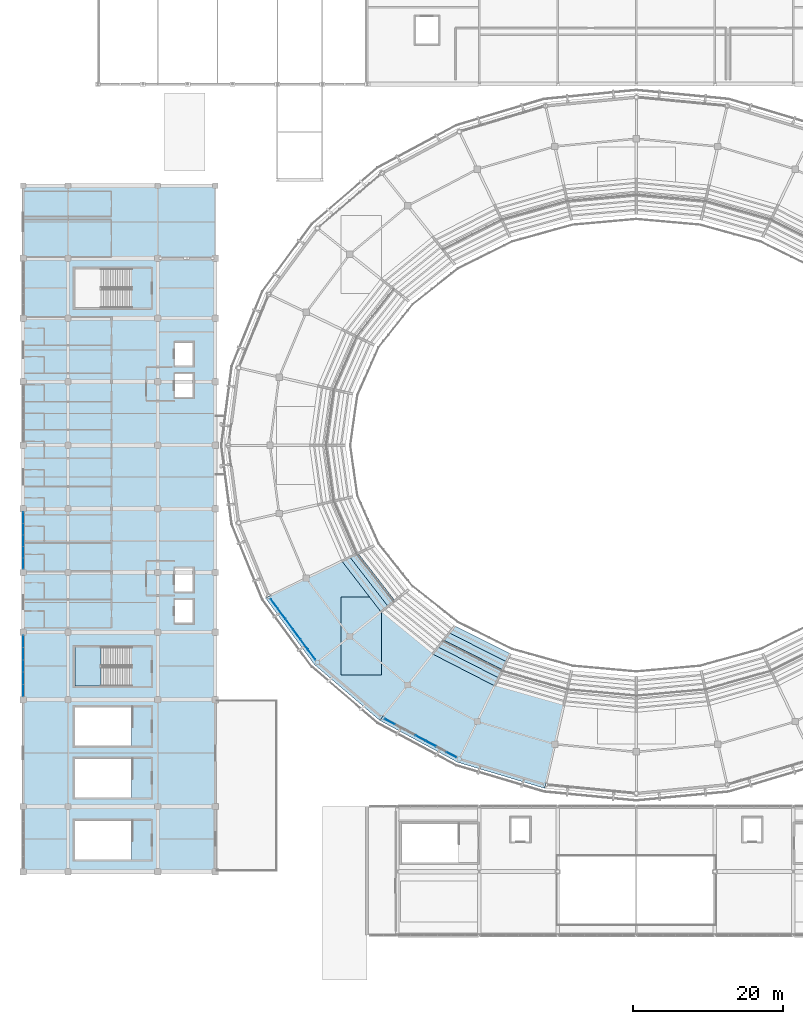
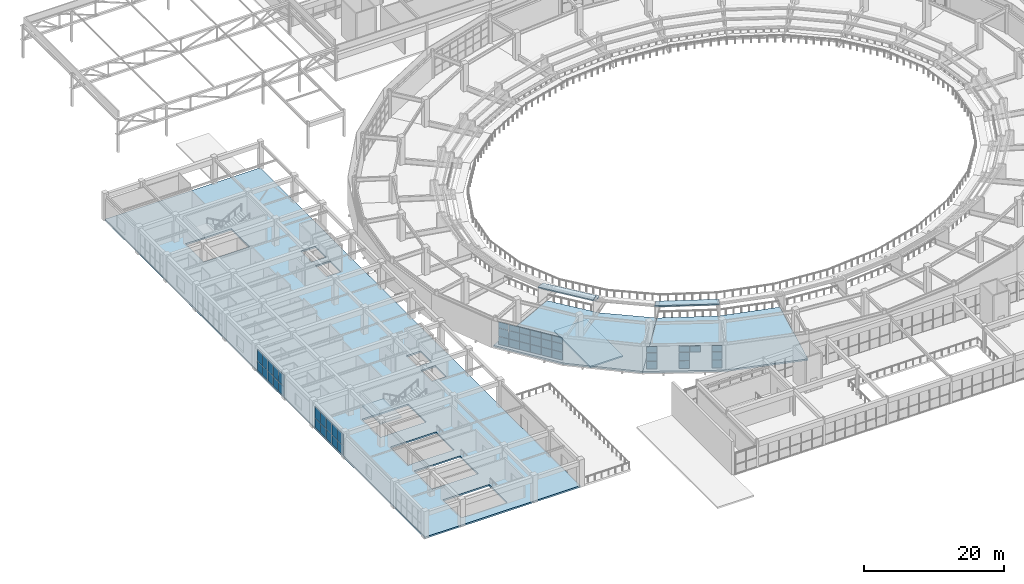
# One storey, part 78 of 122: 48 plates, 11 slabs, 5 elements without a shape of their own.
"""IFC4 building model written with IfcOpenShell, lengths in metres."""

from ifc_helpers import new_model, si_unit, direction, frame, origin, origin_2d, place, context, subcontext, project, spatial, polyline, rectangle, outline, extrude, material, layer, layer_set, type_object, element, aggregate, save


model = new_model("IFC4")

# Units and contexts
model_context = context("Model", 3, precision=1e-05, world=origin(), true_north=direction((0.0, 1.0)))
body_context = subcontext(model_context, "Body", "Model", "MODEL_VIEW")
ifc_project = project(units=[si_unit("LENGTHUNIT", "METRE"), si_unit("AREAUNIT", "SQUARE_METRE"), si_unit("VOLUMEUNIT", "CUBIC_METRE"), si_unit("PLANEANGLEUNIT", "RADIAN"), si_unit("MASSUNIT", "GRAM", prefix="KILO")], contexts=[model_context])

# Site, building, storey
site_placement = place(None, origin())
site = spatial("IfcSite", under=ifc_project, at=site_placement, CompositionType="ELEMENT")
building_placement = place(site_placement, origin())
building = spatial("IfcBuilding", under=site, at=building_placement, Name="Cuetzalor Civic Arena", CompositionType="ELEMENT")
storey_placement = place(building_placement, frame((0.0, 0.0, 16.199951171875)))
storey = spatial("IfcBuildingStorey", under=building, at=storey_placement, Name="L03", CompositionType="ELEMENT", Elevation=16.199951171875)

# Curtain wall, plates
ifc_material_1 = material(Name="Anodised dark bronze aluminium and low-E solar glass", Category="aluminium")
curtain_wall_type_1 = type_object("IfcCurtainWallType", Name="UnitisedCW_10150x4050", PredefinedType="USERDEFINED", material=ifc_material_1)
curtain_wall_1_placement = place(storey_placement, origin())
curtain_wall_1 = element("IfcCurtainWall", 1, at=curtain_wall_1_placement, inside=storey, type_object=curtain_wall_type_1, Name="Drum Triangle Foyer Curtain Wall L03-051", ObjectType="UNITISED CURTAIN WALL", PredefinedType="USERDEFINED")
ifc_material_2 = material(Name="Acoustic laminated solar control glass", Category="glass")
ifc_layer_1 = layer(ifc_material_2, 0.0439453125)
ifc_layer_set_1 = layer_set([ifc_layer_1], Name="Acoustic laminated solar control glass")
plate_type = type_object("IfcPlateType", Name="AcousticTripleGlazedPanel_44", PredefinedType="CURTAIN_PANEL", material=ifc_layer_set_1)
plate_1_placement = place(storey_placement, frame((-43.40185546875, -28.000732421875, 0.06494140625), z_axis=(0.0, 0.0, 1.0), x_axis=(-0.59292931222, 0.805254513002, 0.0)))
plate_1 = element("IfcPlate", 2, at=plate_1_placement, type_object=plate_type, Name="CW-12 panel 1.1", PredefinedType="CURTAIN_PANEL", context=body_context, shape_type="SweptSolid", body=[
    extrude(rectangle(XDim=1.59326171875, YDim=0.0439453125, at=origin_2d()), origin(), (0.0, 0.0, 1.0), 1.361572265625),
])
plate_2_placement = place(storey_placement, frame((-43.40185546875, -28.000732421875, 1.491455078125), z_axis=(0.0, 0.0, 1.0), x_axis=(-0.59292931222, 0.805254513002, 0.0)))
plate_2 = element("IfcPlate", 3, at=plate_2_placement, type_object=plate_type, Name="CW-12 panel 1.2", PredefinedType="CURTAIN_PANEL", context=body_context, shape_type="SweptSolid", body=[
    extrude(rectangle(XDim=1.59326171875, YDim=0.0439453125, at=origin_2d()), origin(), (0.0, 0.0, 1.0), 1.39404296875),
])
plate_3_placement = place(storey_placement, frame((-43.40185546875, -28.000732421875, 2.950439453125), z_axis=(0.0, 0.0, 1.0), x_axis=(-0.59292931222, 0.805254513002, 0.0)))
plate_3 = element("IfcPlate", 4, at=plate_3_placement, type_object=plate_type, Name="CW-12 panel 1.3", PredefinedType="CURTAIN_PANEL", context=body_context, shape_type="SweptSolid", body=[
    extrude(rectangle(XDim=1.59326171875, YDim=0.0439453125, at=origin_2d()), origin(), (0.0, 0.0, 1.0), 1.03759765625),
])
plate_4_placement = place(storey_placement, frame((-44.394775390625, -26.652587890625, 0.06494140625), z_axis=(0.0, 0.0, 1.0), x_axis=(-0.59292931222, 0.805254513002, 0.0)))
plate_4 = element("IfcPlate", 5, at=plate_4_placement, type_object=plate_type, Name="CW-12 panel 2.1", PredefinedType="CURTAIN_PANEL", context=body_context, shape_type="SweptSolid", body=[
    extrude(rectangle(XDim=1.625732421875, YDim=0.0439453125, at=origin_2d()), origin(), (0.0, 0.0, 1.0), 1.361572265625),
])
plate_5_placement = place(storey_placement, frame((-44.394775390625, -26.652587890625, 1.491455078125), z_axis=(0.0, 0.0, 1.0), x_axis=(-0.59292931222, 0.805254513002, 0.0)))
plate_5 = element("IfcPlate", 6, at=plate_5_placement, type_object=plate_type, Name="CW-12 panel 2.2", PredefinedType="CURTAIN_PANEL", context=body_context, shape_type="SweptSolid", body=[
    extrude(rectangle(XDim=1.625732421875, YDim=0.0439453125, at=origin_2d()), origin(), (0.0, 0.0, 1.0), 1.39404296875),
])
plate_6_placement = place(storey_placement, frame((-44.394775390625, -26.652587890625, 2.950439453125), z_axis=(0.0, 0.0, 1.0), x_axis=(-0.59292931222, 0.805254513002, 0.0)))
plate_6 = element("IfcPlate", 7, at=plate_6_placement, type_object=plate_type, Name="CW-12 panel 2.3", PredefinedType="CURTAIN_PANEL", context=body_context, shape_type="SweptSolid", body=[
    extrude(rectangle(XDim=1.625732421875, YDim=0.0439453125, at=origin_2d()), origin(), (0.0, 0.0, 1.0), 1.03759765625),
])
plate_7_placement = place(storey_placement, frame((-45.397216796875, -25.291015625, 0.06494140625), z_axis=(0.0, 0.0, 1.0), x_axis=(-0.59292931222, 0.805254513002, 0.0)))
plate_7 = element("IfcPlate", 8, at=plate_7_placement, type_object=plate_type, Name="CW-12 panel 3.1", PredefinedType="CURTAIN_PANEL", context=body_context, shape_type="SweptSolid", body=[
    extrude(rectangle(XDim=1.625732421875, YDim=0.0439453125, at=origin_2d()), origin(), (0.0, 0.0, 1.0), 1.361572265625),
])
plate_8_placement = place(storey_placement, frame((-45.397216796875, -25.291015625, 1.491455078125), z_axis=(0.0, 0.0, 1.0), x_axis=(-0.59292931222, 0.805254513002, 0.0)))
plate_8 = element("IfcPlate", 9, at=plate_8_placement, type_object=plate_type, Name="CW-12 panel 3.2", PredefinedType="CURTAIN_PANEL", context=body_context, shape_type="SweptSolid", body=[
    extrude(rectangle(XDim=1.625732421875, YDim=0.0439453125, at=origin_2d()), origin(), (0.0, 0.0, 1.0), 1.39404296875),
])
plate_9_placement = place(storey_placement, frame((-45.397216796875, -25.291015625, 2.950439453125), z_axis=(0.0, 0.0, 1.0), x_axis=(-0.59292931222, 0.805254513002, 0.0)))
plate_9 = element("IfcPlate", 10, at=plate_9_placement, type_object=plate_type, Name="CW-12 panel 3.3", PredefinedType="CURTAIN_PANEL", context=body_context, shape_type="SweptSolid", body=[
    extrude(rectangle(XDim=1.625732421875, YDim=0.0439453125, at=origin_2d()), origin(), (0.0, 0.0, 1.0), 1.03759765625),
])
plate_10_placement = place(storey_placement, frame((-46.399658203125, -23.9296875, 0.06494140625), z_axis=(0.0, 0.0, 1.0), x_axis=(-0.59292931222, 0.805254513002, 0.0)))
plate_10 = element("IfcPlate", 11, at=plate_10_placement, type_object=plate_type, Name="CW-12 panel 4.1", PredefinedType="CURTAIN_PANEL", context=body_context, shape_type="SweptSolid", body=[
    extrude(rectangle(XDim=1.625732421875, YDim=0.0439453125, at=origin_2d()), origin(), (0.0, 0.0, 1.0), 1.361572265625),
])
plate_11_placement = place(storey_placement, frame((-46.399658203125, -23.9296875, 1.491455078125), z_axis=(0.0, 0.0, 1.0), x_axis=(-0.59292931222, 0.805254513002, 0.0)))
plate_11 = element("IfcPlate", 12, at=plate_11_placement, type_object=plate_type, Name="CW-12 panel 4.2", PredefinedType="CURTAIN_PANEL", context=body_context, shape_type="SweptSolid", body=[
    extrude(rectangle(XDim=1.625732421875, YDim=0.0439453125, at=origin_2d()), origin(), (0.0, 0.0, 1.0), 1.39404296875),
])
plate_12_placement = place(storey_placement, frame((-46.399658203125, -23.9296875, 2.950439453125), z_axis=(0.0, 0.0, 1.0), x_axis=(-0.59292931222, 0.805254513002, 0.0)))
plate_12 = element("IfcPlate", 13, at=plate_12_placement, type_object=plate_type, Name="CW-12 panel 4.3", PredefinedType="CURTAIN_PANEL", context=body_context, shape_type="SweptSolid", body=[
    extrude(rectangle(XDim=1.625732421875, YDim=0.0439453125, at=origin_2d()), origin(), (0.0, 0.0, 1.0), 1.03759765625),
])
plate_13_placement = place(storey_placement, frame((-47.402099609375, -22.568359375, 0.06494140625), z_axis=(0.0, 0.0, 1.0), x_axis=(-0.59292931222, 0.805254513002, 0.0)))
plate_13 = element("IfcPlate", 14, at=plate_13_placement, type_object=plate_type, Name="CW-12 panel 5.1", PredefinedType="CURTAIN_PANEL", context=body_context, shape_type="SweptSolid", body=[
    extrude(rectangle(XDim=1.625732421875, YDim=0.0439453125, at=origin_2d()), origin(), (0.0, 0.0, 1.0), 1.361572265625),
])
plate_14_placement = place(storey_placement, frame((-47.402099609375, -22.568359375, 1.491455078125), z_axis=(0.0, 0.0, 1.0), x_axis=(-0.59292931222, 0.805254513002, 0.0)))
plate_14 = element("IfcPlate", 15, at=plate_14_placement, type_object=plate_type, Name="CW-12 panel 5.2", PredefinedType="CURTAIN_PANEL", context=body_context, shape_type="SweptSolid", body=[
    extrude(rectangle(XDim=1.625732421875, YDim=0.0439453125, at=origin_2d()), origin(), (0.0, 0.0, 1.0), 1.39404296875),
])
plate_15_placement = place(storey_placement, frame((-47.402099609375, -22.568359375, 2.950439453125), z_axis=(0.0, 0.0, 1.0), x_axis=(-0.59292931222, 0.805254513002, 0.0)))
plate_15 = element("IfcPlate", 16, at=plate_15_placement, type_object=plate_type, Name="CW-12 panel 5.3", PredefinedType="CURTAIN_PANEL", context=body_context, shape_type="SweptSolid", body=[
    extrude(rectangle(XDim=1.625732421875, YDim=0.0439453125, at=origin_2d()), origin(), (0.0, 0.0, 1.0), 1.03759765625),
])
plate_16_placement = place(storey_placement, frame((-48.394775390625, -21.219970703125, 0.06494140625), z_axis=(0.0, 0.0, 1.0), x_axis=(-0.59292931222, 0.805254513002, 0.0)))
plate_16 = element("IfcPlate", 17, at=plate_16_placement, type_object=plate_type, Name="CW-12 panel 6.1", PredefinedType="CURTAIN_PANEL", context=body_context, shape_type="SweptSolid", body=[
    extrude(rectangle(XDim=1.59326171875, YDim=0.0439453125, at=origin_2d()), origin(), (0.0, 0.0, 1.0), 1.361572265625),
])
plate_17_placement = place(storey_placement, frame((-48.394775390625, -21.219970703125, 1.491455078125), z_axis=(0.0, 0.0, 1.0), x_axis=(-0.59292931222, 0.805254513002, 0.0)))
plate_17 = element("IfcPlate", 18, at=plate_17_placement, type_object=plate_type, Name="CW-12 panel 6.2", PredefinedType="CURTAIN_PANEL", context=body_context, shape_type="SweptSolid", body=[
    extrude(rectangle(XDim=1.59326171875, YDim=0.0439453125, at=origin_2d()), origin(), (0.0, 0.0, 1.0), 1.39404296875),
])
plate_18_placement = place(storey_placement, frame((-48.394775390625, -21.219970703125, 2.950439453125), z_axis=(0.0, 0.0, 1.0), x_axis=(-0.59292931222, 0.805254513002, 0.0)))
plate_18 = element("IfcPlate", 19, at=plate_18_placement, type_object=plate_type, Name="CW-12 panel 6.3", PredefinedType="CURTAIN_PANEL", context=body_context, shape_type="SweptSolid", body=[
    extrude(rectangle(XDim=1.59326171875, YDim=0.0439453125, at=origin_2d()), origin(), (0.0, 0.0, 1.0), 1.03759765625),
])
aggregate(curtain_wall_1, [plate_1, plate_2, plate_3, plate_4, plate_5, plate_6, plate_7, plate_8, plate_9, plate_10, plate_11, plate_12, plate_13, plate_14, plate_15, plate_16, plate_17, plate_18])

ifc_material_3 = material(Name="Anodised dark bronze aluminium and low-E solar glass", Category="aluminium")
curtain_wall_type_2 = type_object("IfcCurtainWallType", Name="UnitisedCW_10950x4050", PredefinedType="USERDEFINED", material=ifc_material_3)
curtain_wall_2_placement = place(storey_placement, origin())
curtain_wall_2 = element("IfcCurtainWall", 20, at=curtain_wall_2_placement, inside=storey, type_object=curtain_wall_type_2, Name="Drum Triangle Foyer Curtain Wall L03-052", ObjectType="UNITISED CURTAIN WALL", PredefinedType="USERDEFINED")
plate_19_placement = place(storey_placement, frame((-24.7197265625, -41.37646484375, 0.06494140625), z_axis=(0.0, 0.0, 1.0), x_axis=(-0.881306344124, 0.472545371163, 0.0)))
plate_19 = element("IfcPlate", 21, at=plate_19_placement, type_object=plate_type, Name="CW-13 panel 1.1", PredefinedType="CURTAIN_PANEL", context=body_context, shape_type="SweptSolid", body=[
    extrude(rectangle(XDim=1.46630859375, YDim=0.0439453125, at=origin_2d()), origin(), (0.0, 0.0, 1.0), 1.361572265625),
])
plate_20_placement = place(storey_placement, frame((-24.7197265625, -41.37646484375, 1.491455078125), z_axis=(0.0, 0.0, 1.0), x_axis=(-0.881306344124, 0.472545371163, 0.0)))
plate_20 = element("IfcPlate", 22, at=plate_20_placement, type_object=plate_type, Name="CW-13 panel 1.2", PredefinedType="CURTAIN_PANEL", context=body_context, shape_type="SweptSolid", body=[
    extrude(rectangle(XDim=1.46630859375, YDim=0.0439453125, at=origin_2d()), origin(), (0.0, 0.0, 1.0), 1.39404296875),
])
plate_21_placement = place(storey_placement, frame((-24.7197265625, -41.37646484375, 2.950439453125), z_axis=(0.0, 0.0, 1.0), x_axis=(-0.881306344124, 0.472545371163, 0.0)))
plate_21 = element("IfcPlate", 23, at=plate_21_placement, type_object=plate_type, Name="CW-13 panel 1.3", PredefinedType="CURTAIN_PANEL", context=body_context, shape_type="SweptSolid", body=[
    extrude(rectangle(XDim=1.46630859375, YDim=0.0439453125, at=origin_2d()), origin(), (0.0, 0.0, 1.0), 1.03759765625),
])
plate_22_placement = place(storey_placement, frame((-27.461669921875, -39.90625, 2.950439453125), z_axis=(0.0, 0.0, 1.0), x_axis=(-0.881306344124, 0.472545371163, 0.0)))
plate_22 = element("IfcPlate", 24, at=plate_22_placement, type_object=plate_type, Name="CW-13 panel 3.3", PredefinedType="CURTAIN_PANEL", context=body_context, shape_type="SweptSolid", body=[
    extrude(rectangle(XDim=1.498779296875, YDim=0.0439453125, at=origin_2d()), origin(), (0.0, 0.0, 1.0), 1.03759765625),
])
plate_23_placement = place(storey_placement, frame((-28.83984375, -39.167236328125, 0.06494140625), z_axis=(0.0, 0.0, 1.0), x_axis=(-0.881306344124, 0.472545371163, 0.0)))
plate_23 = element("IfcPlate", 25, at=plate_23_placement, type_object=plate_type, Name="CW-13 panel 4.1", PredefinedType="CURTAIN_PANEL", context=body_context, shape_type="SweptSolid", body=[
    extrude(rectangle(XDim=1.498779296875, YDim=0.0439453125, at=origin_2d()), origin(), (0.0, 0.0, 1.0), 1.361572265625),
])
plate_24_placement = place(storey_placement, frame((-28.83984375, -39.167236328125, 1.491455078125), z_axis=(0.0, 0.0, 1.0), x_axis=(-0.881306344124, 0.472545371163, 0.0)))
plate_24 = element("IfcPlate", 26, at=plate_24_placement, type_object=plate_type, Name="CW-13 panel 4.2", PredefinedType="CURTAIN_PANEL", context=body_context, shape_type="SweptSolid", body=[
    extrude(rectangle(XDim=1.498779296875, YDim=0.0439453125, at=origin_2d()), origin(), (0.0, 0.0, 1.0), 1.39404296875),
])
plate_25_placement = place(storey_placement, frame((-28.83984375, -39.167236328125, 2.950439453125), z_axis=(0.0, 0.0, 1.0), x_axis=(-0.881306344124, 0.472545371163, 0.0)))
plate_25 = element("IfcPlate", 27, at=plate_25_placement, type_object=plate_type, Name="CW-13 panel 4.3", PredefinedType="CURTAIN_PANEL", context=body_context, shape_type="SweptSolid", body=[
    extrude(rectangle(XDim=1.498779296875, YDim=0.0439453125, at=origin_2d()), origin(), (0.0, 0.0, 1.0), 1.03759765625),
])
plate_26_placement = place(storey_placement, frame((-32.9599609375, -36.9580078125, 0.06494140625), z_axis=(0.0, 0.0, 1.0), x_axis=(-0.881306344124, 0.472545371163, 0.0)))
plate_26 = element("IfcPlate", 28, at=plate_26_placement, type_object=plate_type, Name="CW-13 panel 7.1", PredefinedType="CURTAIN_PANEL", context=body_context, shape_type="SweptSolid", body=[
    extrude(rectangle(XDim=1.46630859375, YDim=0.0439453125, at=origin_2d()), origin(), (0.0, 0.0, 1.0), 1.361572265625),
])
plate_27_placement = place(storey_placement, frame((-32.9599609375, -36.9580078125, 1.491455078125), z_axis=(0.0, 0.0, 1.0), x_axis=(-0.881306344124, 0.472545371163, 0.0)))
plate_27 = element("IfcPlate", 29, at=plate_27_placement, type_object=plate_type, Name="CW-13 panel 7.2", PredefinedType="CURTAIN_PANEL", context=body_context, shape_type="SweptSolid", body=[
    extrude(rectangle(XDim=1.46630859375, YDim=0.0439453125, at=origin_2d()), origin(), (0.0, 0.0, 1.0), 1.39404296875),
])
plate_28_placement = place(storey_placement, frame((-32.9599609375, -36.9580078125, 2.950439453125), z_axis=(0.0, 0.0, 1.0), x_axis=(-0.881306344124, 0.472545371163, 0.0)))
plate_28 = element("IfcPlate", 30, at=plate_28_placement, type_object=plate_type, Name="CW-13 panel 7.3", PredefinedType="CURTAIN_PANEL", context=body_context, shape_type="SweptSolid", body=[
    extrude(rectangle(XDim=1.46630859375, YDim=0.0439453125, at=origin_2d()), origin(), (0.0, 0.0, 1.0), 1.03759765625),
])
aggregate(curtain_wall_2, [plate_19, plate_20, plate_21, plate_22, plate_23, plate_24, plate_25, plate_26, plate_27, plate_28])

ifc_material_4 = material(Name="Anodised dark bronze aluminium and low-E solar glass", Category="aluminium")
curtain_wall_type_3 = type_object("IfcCurtainWallType", Name="UnitisedCW_8200x3850", PredefinedType="USERDEFINED", material=ifc_material_4)
curtain_wall_3_placement = place(storey_placement, origin())
curtain_wall_3 = element("IfcCurtainWall", 31, at=curtain_wall_3_placement, inside=storey, type_object=curtain_wall_type_3, Name="V4W Suite Viewing Curtain Wall L03-119", ObjectType="UNITISED CURTAIN WALL", PredefinedType="USERDEFINED")
plate_29_placement = place(storey_placement, frame((-82.0, -32.758056640625, 0.06494140625), z_axis=(0.0, 0.0, 1.0), x_axis=(0.0, 1.0, 0.0)))
plate_29 = element("IfcPlate", 32, at=plate_29_placement, type_object=plate_type, Name="CW-45 panel 1.1", PredefinedType="CURTAIN_PANEL", context=body_context, shape_type="SweptSolid", body=[
    extrude(rectangle(XDim=1.539794921875, YDim=0.0439453125, at=origin_2d()), origin(), (0.0, 0.0, 1.0), 1.639404296875),
])
plate_30_placement = place(storey_placement, frame((-82.0, -32.758056640625, 1.76953125), z_axis=(0.0, 0.0, 1.0), x_axis=(0.0, 1.0, 0.0)))
plate_30 = element("IfcPlate", 33, at=plate_30_placement, type_object=plate_type, Name="CW-45 panel 1.2", PredefinedType="CURTAIN_PANEL", context=body_context, shape_type="SweptSolid", body=[
    extrude(rectangle(XDim=1.539794921875, YDim=0.0439453125, at=origin_2d()), origin(), (0.0, 0.0, 1.0), 2.025390625),
])
plate_31_placement = place(storey_placement, frame((-82.0, -31.13720703125, 0.06494140625), z_axis=(0.0, 0.0, 1.0), x_axis=(0.0, 1.0, 0.0)))
plate_31 = element("IfcPlate", 34, at=plate_31_placement, type_object=plate_type, Name="CW-45 panel 2.1", PredefinedType="CURTAIN_PANEL", context=body_context, shape_type="SweptSolid", body=[
    extrude(rectangle(XDim=1.572265625, YDim=0.0439453125, at=origin_2d()), origin(), (0.0, 0.0, 1.0), 1.639404296875),
])
plate_32_placement = place(storey_placement, frame((-82.0, -31.13720703125, 1.76953125), z_axis=(0.0, 0.0, 1.0), x_axis=(0.0, 1.0, 0.0)))
plate_32 = element("IfcPlate", 35, at=plate_32_placement, type_object=plate_type, Name="CW-45 panel 2.2", PredefinedType="CURTAIN_PANEL", context=body_context, shape_type="SweptSolid", body=[
    extrude(rectangle(XDim=1.572265625, YDim=0.0439453125, at=origin_2d()), origin(), (0.0, 0.0, 1.0), 2.025390625),
])
plate_33_placement = place(storey_placement, frame((-82.0, -29.5, 0.06494140625), z_axis=(0.0, 0.0, 1.0), x_axis=(0.0, 1.0, 0.0)))
plate_33 = element("IfcPlate", 36, at=plate_33_placement, type_object=plate_type, Name="CW-45 panel 3.1", PredefinedType="CURTAIN_PANEL", context=body_context, shape_type="SweptSolid", body=[
    extrude(rectangle(XDim=1.572265625, YDim=0.0439453125, at=origin_2d()), origin(), (0.0, 0.0, 1.0), 1.639404296875),
])
plate_34_placement = place(storey_placement, frame((-82.0, -29.5, 1.76953125), z_axis=(0.0, 0.0, 1.0), x_axis=(0.0, 1.0, 0.0)))
plate_34 = element("IfcPlate", 37, at=plate_34_placement, type_object=plate_type, Name="CW-45 panel 3.2", PredefinedType="CURTAIN_PANEL", context=body_context, shape_type="SweptSolid", body=[
    extrude(rectangle(XDim=1.572265625, YDim=0.0439453125, at=origin_2d()), origin(), (0.0, 0.0, 1.0), 2.025390625),
])
plate_35_placement = place(storey_placement, frame((-82.0, -27.86279296875, 0.06494140625), z_axis=(0.0, 0.0, 1.0), x_axis=(0.0, 1.0, 0.0)))
plate_35 = element("IfcPlate", 38, at=plate_35_placement, type_object=plate_type, Name="CW-45 panel 4.1", PredefinedType="CURTAIN_PANEL", context=body_context, shape_type="SweptSolid", body=[
    extrude(rectangle(XDim=1.572265625, YDim=0.0439453125, at=origin_2d()), origin(), (0.0, 0.0, 1.0), 1.639404296875),
])
plate_36_placement = place(storey_placement, frame((-82.0, -27.86279296875, 1.76953125), z_axis=(0.0, 0.0, 1.0), x_axis=(0.0, 1.0, 0.0)))
plate_36 = element("IfcPlate", 39, at=plate_36_placement, type_object=plate_type, Name="CW-45 panel 4.2", PredefinedType="CURTAIN_PANEL", context=body_context, shape_type="SweptSolid", body=[
    extrude(rectangle(XDim=1.572265625, YDim=0.0439453125, at=origin_2d()), origin(), (0.0, 0.0, 1.0), 2.025390625),
])
plate_37_placement = place(storey_placement, frame((-82.0, -26.241943359375, 0.06494140625), z_axis=(0.0, 0.0, 1.0), x_axis=(0.0, 1.0, 0.0)))
plate_37 = element("IfcPlate", 40, at=plate_37_placement, type_object=plate_type, Name="CW-45 panel 5.1", PredefinedType="CURTAIN_PANEL", context=body_context, shape_type="SweptSolid", body=[
    extrude(rectangle(XDim=1.539794921875, YDim=0.0439453125, at=origin_2d()), origin(), (0.0, 0.0, 1.0), 1.639404296875),
])
plate_38_placement = place(storey_placement, frame((-82.0, -26.241943359375, 1.76953125), z_axis=(0.0, 0.0, 1.0), x_axis=(0.0, 1.0, 0.0)))
plate_38 = element("IfcPlate", 41, at=plate_38_placement, type_object=plate_type, Name="CW-45 panel 5.2", PredefinedType="CURTAIN_PANEL", context=body_context, shape_type="SweptSolid", body=[
    extrude(rectangle(XDim=1.539794921875, YDim=0.0439453125, at=origin_2d()), origin(), (0.0, 0.0, 1.0), 2.025390625),
])
aggregate(curtain_wall_3, [plate_29, plate_30, plate_31, plate_32, plate_33, plate_34, plate_35, plate_36, plate_37, plate_38])

ifc_material_5 = material(Name="Anodised dark bronze aluminium and low-E solar glass", Category="aluminium")
curtain_wall_type_4 = type_object("IfcCurtainWallType", Name="UnitisedCW_7700x3850", PredefinedType="USERDEFINED", material=ifc_material_5)
curtain_wall_4_placement = place(storey_placement, origin())
curtain_wall_4 = element("IfcCurtainWall", 42, at=curtain_wall_4_placement, inside=storey, type_object=curtain_wall_type_4, Name="V4W Suite Viewing Curtain Wall L03-120", ObjectType="UNITISED CURTAIN WALL", PredefinedType="USERDEFINED")
plate_39_placement = place(storey_placement, frame((-82.0, -15.80810546875, 0.06494140625), z_axis=(0.0, 0.0, 1.0), x_axis=(0.0, 1.0, 0.0)))
plate_39 = element("IfcPlate", 43, at=plate_39_placement, type_object=plate_type, Name="CW-42 panel 1.1", PredefinedType="CURTAIN_PANEL", context=body_context, shape_type="SweptSolid", body=[
    extrude(rectangle(XDim=1.439697265625, YDim=0.0439453125, at=origin_2d()), origin(), (0.0, 0.0, 1.0), 1.639404296875),
])
plate_40_placement = place(storey_placement, frame((-82.0, -15.80810546875, 1.76953125), z_axis=(0.0, 0.0, 1.0), x_axis=(0.0, 1.0, 0.0)))
plate_40 = element("IfcPlate", 44, at=plate_40_placement, type_object=plate_type, Name="CW-42 panel 1.2", PredefinedType="CURTAIN_PANEL", context=body_context, shape_type="SweptSolid", body=[
    extrude(rectangle(XDim=1.439697265625, YDim=0.0439453125, at=origin_2d()), origin(), (0.0, 0.0, 1.0), 2.025390625),
])
plate_41_placement = place(storey_placement, frame((-82.0, -14.287109375, 0.06494140625), z_axis=(0.0, 0.0, 1.0), x_axis=(0.0, 1.0, 0.0)))
plate_41 = element("IfcPlate", 45, at=plate_41_placement, type_object=plate_type, Name="CW-42 panel 2.1", PredefinedType="CURTAIN_PANEL", context=body_context, shape_type="SweptSolid", body=[
    extrude(rectangle(XDim=1.47216796875, YDim=0.0439453125, at=origin_2d()), origin(), (0.0, 0.0, 1.0), 1.639404296875),
])
plate_42_placement = place(storey_placement, frame((-82.0, -14.287109375, 1.76953125), z_axis=(0.0, 0.0, 1.0), x_axis=(0.0, 1.0, 0.0)))
plate_42 = element("IfcPlate", 46, at=plate_42_placement, type_object=plate_type, Name="CW-42 panel 2.2", PredefinedType="CURTAIN_PANEL", context=body_context, shape_type="SweptSolid", body=[
    extrude(rectangle(XDim=1.47216796875, YDim=0.0439453125, at=origin_2d()), origin(), (0.0, 0.0, 1.0), 2.025390625),
])
plate_43_placement = place(storey_placement, frame((-82.0, -12.75, 0.06494140625), z_axis=(0.0, 0.0, 1.0), x_axis=(0.0, 1.0, 0.0)))
plate_43 = element("IfcPlate", 47, at=plate_43_placement, type_object=plate_type, Name="CW-42 panel 3.1", PredefinedType="CURTAIN_PANEL", context=body_context, shape_type="SweptSolid", body=[
    extrude(rectangle(XDim=1.47216796875, YDim=0.0439453125, at=origin_2d()), origin(), (0.0, 0.0, 1.0), 1.639404296875),
])
plate_44_placement = place(storey_placement, frame((-82.0, -12.75, 1.76953125), z_axis=(0.0, 0.0, 1.0), x_axis=(0.0, 1.0, 0.0)))
plate_44 = element("IfcPlate", 48, at=plate_44_placement, type_object=plate_type, Name="CW-42 panel 3.2", PredefinedType="CURTAIN_PANEL", context=body_context, shape_type="SweptSolid", body=[
    extrude(rectangle(XDim=1.47216796875, YDim=0.0439453125, at=origin_2d()), origin(), (0.0, 0.0, 1.0), 2.025390625),
])
plate_45_placement = place(storey_placement, frame((-82.0, -11.212890625, 0.06494140625), z_axis=(0.0, 0.0, 1.0), x_axis=(0.0, 1.0, 0.0)))
plate_45 = element("IfcPlate", 49, at=plate_45_placement, type_object=plate_type, Name="CW-42 panel 4.1", PredefinedType="CURTAIN_PANEL", context=body_context, shape_type="SweptSolid", body=[
    extrude(rectangle(XDim=1.47216796875, YDim=0.0439453125, at=origin_2d()), origin(), (0.0, 0.0, 1.0), 1.639404296875),
])
plate_46_placement = place(storey_placement, frame((-82.0, -11.212890625, 1.76953125), z_axis=(0.0, 0.0, 1.0), x_axis=(0.0, 1.0, 0.0)))
plate_46 = element("IfcPlate", 50, at=plate_46_placement, type_object=plate_type, Name="CW-42 panel 4.2", PredefinedType="CURTAIN_PANEL", context=body_context, shape_type="SweptSolid", body=[
    extrude(rectangle(XDim=1.47216796875, YDim=0.0439453125, at=origin_2d()), origin(), (0.0, 0.0, 1.0), 2.025390625),
])
plate_47_placement = place(storey_placement, frame((-82.0, -9.69189453125, 0.06494140625), z_axis=(0.0, 0.0, 1.0), x_axis=(0.0, 1.0, 0.0)))
plate_47 = element("IfcPlate", 51, at=plate_47_placement, type_object=plate_type, Name="CW-42 panel 5.1", PredefinedType="CURTAIN_PANEL", context=body_context, shape_type="SweptSolid", body=[
    extrude(rectangle(XDim=1.439697265625, YDim=0.0439453125, at=origin_2d()), origin(), (0.0, 0.0, 1.0), 1.639404296875),
])
plate_48_placement = place(storey_placement, frame((-82.0, -9.69189453125, 1.76953125), z_axis=(0.0, 0.0, 1.0), x_axis=(0.0, 1.0, 0.0)))
plate_48 = element("IfcPlate", 52, at=plate_48_placement, type_object=plate_type, Name="CW-42 panel 5.2", PredefinedType="CURTAIN_PANEL", context=body_context, shape_type="SweptSolid", body=[
    extrude(rectangle(XDim=1.439697265625, YDim=0.0439453125, at=origin_2d()), origin(), (0.0, 0.0, 1.0), 2.025390625),
])
aggregate(curtain_wall_4, [plate_39, plate_40, plate_41, plate_42, plate_43, plate_44, plate_45, plate_46, plate_47, plate_48])

# Slab
ifc_material_6 = material(Name="Concrete C40/50", Category="concrete")
ifc_layer_2 = layer(ifc_material_6, 0.219970703125)
ifc_layer_set_2 = layer_set([ifc_layer_2], Name="Concrete C40/50")
slab_type_1 = type_object("IfcSlabType", Name="LiftShaftRoofCapSlab_220", PredefinedType="ROOF", material=ifc_layer_set_2)
slab_1_placement = place(storey_placement, frame((0.0, 0.0, -1.199951171875)))
element("IfcSlab", 53, at=slab_1_placement, inside=storey, type_object=slab_type_1, Name="Stair Core Enclosure Cap Slab ST-06", PredefinedType="ROOF", context=body_context, shape_type="SweptSolid", body=[
    extrude(outline(polyline([(-39.52001953125, -30.719970703125), (-34.080078125, -30.719970703125), (-34.080078125, -20.280029296875), (-39.52001953125, -20.280029296875), (-39.52001953125, -30.719970703125)])), origin(), (0.0, 0.0, 1.0), 0.219970703125),
])

# Stair, slab
ifc_material_7 = material(Name="Precast concrete C40/50", Category="concrete")
stair_type = type_object("IfcStairType", Name="EnclosedExitStair_H480", PredefinedType="HALF_TURN_STAIR", material=ifc_material_7)
stair_placement = place(storey_placement, origin())
stair = element("IfcStair", 54, at=stair_placement, inside=storey, type_object=stair_type, Name="L03 Enclosed Exit Stair ST-16", PredefinedType="HALF_TURN_STAIR")
ifc_material_8 = material(Name="Concrete C40/50", Category="concrete")
ifc_layer_3 = layer(ifc_material_8, 0.199951171875)
ifc_layer_set_3 = layer_set([ifc_layer_3], Name="Concrete C40/50")
slab_type_2 = type_object("IfcSlabType", Name="StairHalfLandingSlab_200", PredefinedType="LANDING", material=ifc_layer_set_3)
slab_2_placement = place(storey_placement, frame((0.0, 0.0, 2.199951171875)))
slab_2 = element("IfcSlab", 55, at=slab_2_placement, type_object=slab_type_2, Name="ST-16 landing 1", PredefinedType="LANDING", context=body_context, shape_type="SweptSolid", body=[
    extrude(outline(polyline([(-71.583984375, -27.0), (-75.10009765625, -27.0), (-75.10009765625, -32.199951171875), (-71.583984375, -32.199951171875), (-71.583984375, -27.0)])), origin(), (0.0, 0.0, 1.0), 0.2001953125),
])
aggregate(stair, [slab_2])

# Slabs
ifc_material_9 = material(Name="Concrete C35/45", Category="concrete")
ifc_layer_4 = layer(ifc_material_9, 0.280029296875)
ifc_layer_set_4 = layer_set([ifc_layer_4], Name="Concrete C35/45")
slab_type_3 = type_object("IfcSlabType", Name="SuspendedFloorSlab_280", PredefinedType="FLOOR", material=ifc_layer_set_4)
slab_3_placement = place(storey_placement, frame((0.0, 0.0, -0.280029296875)))
element("IfcSlab", 56, at=slab_3_placement, inside=storey, type_object=slab_type_3, Name="Arena Concourse Sector Slab L03-09", PredefinedType="FLOOR", context=body_context, shape_type="SweptSolid", body=[
    extrude(outline(polyline([(-37.39013671875, -14.53515625), (-32.446044921875, -20.886962890625), (-25.874755859375, -26.19140625), (-34.322998046875, -36.78515625), (-43.039794921875, -29.335205078125), (-49.598388671875, -20.414306640625), (-37.39013671875, -14.53515625)])), origin(), (0.0, 0.0, 1.0), 0.280029296875),
])
slab_4_placement = place(storey_placement, frame((0.0, 0.0, -0.280029296875)))
element("IfcSlab", 57, at=slab_4_placement, inside=storey, type_object=slab_type_3, Name="Arena Concourse Sector Slab L03-10", PredefinedType="FLOOR", context=body_context, shape_type="SweptSolid", body=[
    extrude(outline(polyline([(-25.874755859375, -26.19140625), (-18.006103515625, -30.1826171875), (-9.234619140625, -32.66015625), (-12.249755859375, -45.870361328125), (-23.88525390625, -42.390625), (-34.322998046875, -36.78515625), (-25.874755859375, -26.19140625)])), origin(), (0.0, 0.0, 1.0), 0.280029296875),
])
slab_5_placement = place(storey_placement, frame((0.0, 0.0, -0.280029296875)))
element("IfcSlab", 58, at=slab_5_placement, inside=storey, type_object=slab_type_3, Name="V4W Concourse and Suite Floor Slab L03", PredefinedType="FLOOR", context=body_context, shape_type="SweptSolid", body=[
    extrude(outline(polyline([(-82.0, -57.0), (-56.300048828125, -57.0), (-56.300048828125, 34.699951171875), (-82.0, 34.699951171875), (-82.0, -57.0)]), holes=[polyline([(-75.10009765625, -55.39990234375), (-67.5, -55.39990234375), (-67.5, -50.199951171875), (-75.10009765625, -50.199951171875), (-75.10009765625, -55.39990234375)]), polyline([(-75.10009765625, -47.10009765625), (-67.5, -47.10009765625), (-67.5, -41.89990234375), (-75.10009765625, -41.89990234375), (-75.10009765625, -47.10009765625)]), polyline([(-75.10009765625, -40.199951171875), (-67.5, -40.199951171875), (-67.5, -35.0), (-75.10009765625, -35.0), (-75.10009765625, -40.199951171875)]), polyline([(-75.10009765625, -32.199951171875), (-67.5, -32.199951171875), (-67.5, -27.0), (-75.10009765625, -27.0), (-75.10009765625, -32.199951171875)]), polyline([(-75.10009765625, 18.39990234375), (-67.5, 18.39990234375), (-67.5, 23.60009765625), (-75.10009765625, 23.60009765625), (-75.10009765625, 18.39990234375)]), polyline([(-61.699951171875, -19.550048828125), (-59.300048828125, -19.550048828125), (-59.300048828125, -16.449951171875), (-61.699951171875, -16.449951171875), (-61.699951171875, -19.550048828125)]), polyline([(-61.699951171875, 6.449951171875), (-59.300048828125, 6.449951171875), (-59.300048828125, 9.550048828125), (-61.699951171875, 9.550048828125), (-61.699951171875, 6.449951171875)]), polyline([(-61.699951171875, -23.75), (-59.300048828125, -23.75), (-59.300048828125, -20.64990234375), (-61.699951171875, -20.64990234375), (-61.699951171875, -23.75)]), polyline([(-61.699951171875, 10.64990234375), (-59.300048828125, 10.64990234375), (-59.300048828125, 13.75), (-61.699951171875, 13.75), (-61.699951171875, 10.64990234375)])]), origin(), (0.0, 0.0, 1.0), 0.280029296875),
])
ifc_material_10 = material(Name="Precast concrete C45/55", Category="concrete")
ifc_layer_5 = layer(ifc_material_10, 0.195068359375)
ifc_layer_set_5 = layer_set([ifc_layer_5], Name="Precast concrete C45/55")
slab_type_4 = type_object("IfcSlabType", Name="UpperBowlSeatingTier_160", PredefinedType="USERDEFINED", material=ifc_layer_set_5)
slab_6_placement = place(storey_placement, frame((0.0, 0.0, 2.60498046875)))
element("IfcSlab", 59, at=slab_6_placement, inside=storey, type_object=slab_type_4, Name="Stand Upper Tier Bay 17 Row 3", ObjectType="SEATING TIER", PredefinedType="USERDEFINED", context=body_context, shape_type="SweptSolid", body=[
    extrude(outline(polyline([(-37.2099609375, -14.4482421875), (-32.28955078125, -20.76220703125), (-33.227783203125, -21.510498046875), (-38.291259765625, -14.968994140625), (-37.2099609375, -14.4482421875)])), origin(), (0.0, 0.0, 1.0), 0.195068359375),
])
slab_7_placement = place(storey_placement, frame((0.0, 0.0, 3.455078125)))
element("IfcSlab", 60, at=slab_7_placement, inside=storey, type_object=slab_type_4, Name="Stand Upper Tier Bay 17 Row 4", ObjectType="SEATING TIER", PredefinedType="USERDEFINED", context=body_context, shape_type="SweptSolid", body=[
    extrude(outline(polyline([(-38.291259765625, -14.968994140625), (-33.227783203125, -21.510498046875), (-34.166015625, -22.258544921875), (-39.372314453125, -15.489501953125), (-38.291259765625, -14.968994140625)])), origin(), (0.0, 0.0, 1.0), 0.195068359375),
])
slab_8_placement = place(storey_placement, frame((0.0, 0.0, 0.9111328125)))
element("IfcSlab", 61, at=slab_8_placement, inside=storey, type_object=slab_type_4, Name="Stand Upper Tier Bay 19 Row 1", ObjectType="SEATING TIER", PredefinedType="USERDEFINED", context=body_context, shape_type="SweptSolid", body=[
    extrude(outline(polyline([(-24.25390625, -24.15869140625), (-16.878173828125, -27.83984375), (-17.398681640625, -28.921142578125), (-25.001953125, -25.0966796875), (-24.25390625, -24.15869140625)])), origin(), (0.0, 0.0, 1.0), 0.19482421875),
])
slab_9_placement = place(storey_placement, frame((0.0, 0.0, 1.755126953125)))
element("IfcSlab", 62, at=slab_9_placement, inside=storey, type_object=slab_type_4, Name="Stand Upper Tier Bay 19 Row 2", ObjectType="SEATING TIER", PredefinedType="USERDEFINED", context=body_context, shape_type="SweptSolid", body=[
    extrude(outline(polyline([(-25.001953125, -25.0966796875), (-17.398681640625, -28.921142578125), (-17.91943359375, -30.002197265625), (-25.75, -26.034912109375), (-25.001953125, -25.0966796875)])), origin(), (0.0, 0.0, 1.0), 0.19482421875),
])
slab_10_placement = place(storey_placement, frame((0.0, 0.0, 2.60498046875)))
element("IfcSlab", 63, at=slab_10_placement, inside=storey, type_object=slab_type_4, Name="Stand Upper Tier Bay 19 Row 3", ObjectType="SEATING TIER", PredefinedType="USERDEFINED", context=body_context, shape_type="SweptSolid", body=[
    extrude(outline(polyline([(-25.75, -26.034912109375), (-17.91943359375, -30.002197265625), (-18.440185546875, -31.08349609375), (-26.498291015625, -26.97314453125), (-25.75, -26.034912109375)])), origin(), (0.0, 0.0, 1.0), 0.195068359375),
])
slab_11_placement = place(storey_placement, frame((0.0, 0.0, 3.455078125)))
element("IfcSlab", 64, at=slab_11_placement, inside=storey, type_object=slab_type_4, Name="Stand Upper Tier Bay 19 Row 4", ObjectType="SEATING TIER", PredefinedType="USERDEFINED", context=body_context, shape_type="SweptSolid", body=[
    extrude(outline(polyline([(-26.498291015625, -26.97314453125), (-18.440185546875, -31.08349609375), (-18.960693359375, -32.16455078125), (-27.24658203125, -27.911376953125), (-26.498291015625, -26.97314453125)])), origin(), (0.0, 0.0, 1.0), 0.195068359375),
])

save(model, "model.ifc")
